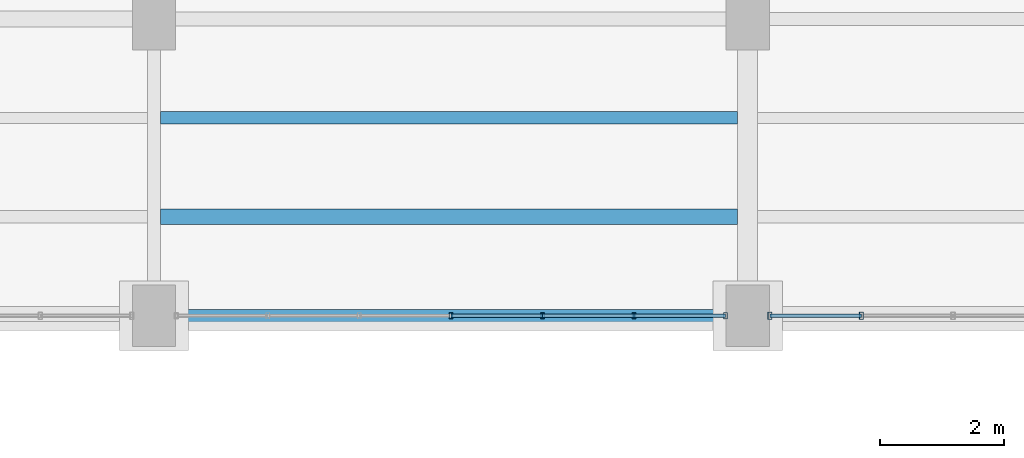
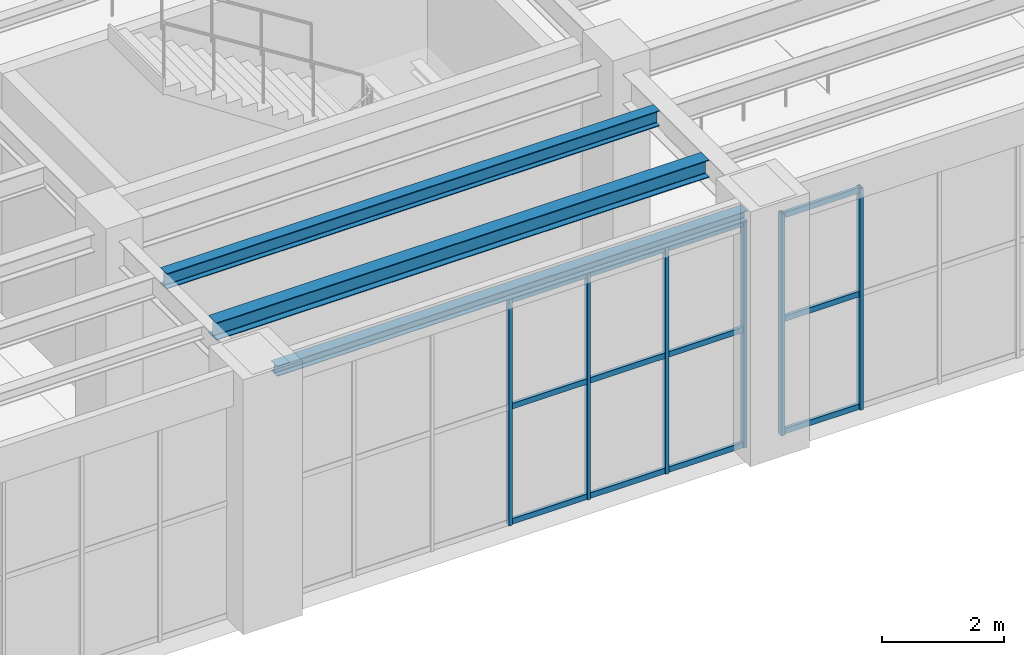
# One storey, part 99 of 174: 18 members, 3 beams, 2 elements without a shape of their own.
"""IFC4 building model written with IfcOpenShell, lengths in metres."""

from ifc_helpers import new_model, si_unit, direction, frame, origin, origin_2d, place, context, subcontext, project, spatial, hollow_rectangle, i_section, extrude, material, material_profile, profile_set, type_object, element, aggregate, save


model = new_model("IFC4")

# Units and contexts
model_context = context("Model", 3, precision=1e-05, world=origin(), true_north=direction((0.0, 1.0)))
body_context = subcontext(model_context, "Body", "Model", "MODEL_VIEW")
ifc_project = project(units=[si_unit("LENGTHUNIT", "METRE"), si_unit("AREAUNIT", "SQUARE_METRE"), si_unit("VOLUMEUNIT", "CUBIC_METRE"), si_unit("PLANEANGLEUNIT", "RADIAN"), si_unit("MASSUNIT", "GRAM", prefix="KILO")], contexts=[model_context])

# Site, building, storey
site_placement = place(None, origin())
site = spatial("IfcSite", under=ifc_project, at=site_placement, CompositionType="ELEMENT")
building_placement = place(site_placement, origin())
building = spatial("IfcBuilding", under=site, at=building_placement, Name="Mavantir Sound Aquarium", CompositionType="ELEMENT")
storey_placement = place(building_placement, frame((0.0, 0.0, 5.39990234375)))
storey = spatial("IfcBuildingStorey", under=building, at=storey_placement, Name="L01", CompositionType="ELEMENT", Elevation=5.39990234375)

# Beams
ifc_material_1 = material(Name="Structural Steel ASTM A992 Gr50", Category="steel")
ifc_material_profile_1 = material_profile(ifc_material_1, i_section(OverallWidth=0.202880859375, OverallDepth=0.202880859375, WebThickness=0.007080078125, FlangeThickness=0.010986328125, FilletRadius=0.010009765625, at=origin_2d()), Name="W200X46")
ifc_profile_set_1 = profile_set([ifc_material_profile_1], Name="Structural Steel ASTM A992 Gr50")
beam_type_1 = type_object("IfcBeamType", Name="BM-W200X46-E", PredefinedType="LINTEL", material=ifc_profile_set_1)
beam_1_placement = place(storey_placement, frame((146.75, 36.0, 4.674560546875), z_axis=(1.0, 0.0, 0.0), x_axis=(0.0, 1.0, 0.0)))
element("IfcBeam", 1, at=beam_1_placement, inside=storey, type_object=beam_type_1, Name="L01 primary beam SL-20 1242", PredefinedType="LINTEL", context=body_context, shape_type="SweptSolid", body=[
    extrude(i_section(OverallWidth=0.202880859375, OverallDepth=0.202880859375, WebThickness=0.007080078125, FlangeThickness=0.010986328125, FilletRadius=0.010009765625, at=origin_2d()), origin(), (0.0, 0.0, 1.0), 8.89990234375),
])
ifc_material_profile_2 = material_profile(ifc_material_1, i_section(OverallWidth=0.205078125, OverallDepth=0.31005859375, WebThickness=0.009521484375, FlangeThickness=0.016357421875, FilletRadius=0.012939453125, at=origin_2d()), Name="W310X74")
ifc_profile_set_2 = profile_set([ifc_material_profile_2], Name="Structural Steel ASTM A992 Gr50")
beam_type_2 = type_object("IfcBeamType", Name="BM-W310X74-I", PredefinedType="JOIST", material=ifc_profile_set_2)
beam_2_placement = place(storey_placement, frame((146.506103515625, 39.199951171875, 4.62109375), z_axis=(1.0, 0.0, 0.0), x_axis=(0.0, 1.0, 0.0)))
element("IfcBeam", 2, at=beam_2_placement, inside=storey, type_object=beam_type_2, Name="L01 secondary floor joist SJ-31 731", PredefinedType="JOIST", context=body_context, shape_type="SweptSolid", body=[
    extrude(i_section(OverallWidth=0.205078125, OverallDepth=0.31005859375, WebThickness=0.009521484375, FlangeThickness=0.016357421875, FilletRadius=0.012939453125, at=origin_2d()), origin(), (0.0, 0.0, 1.0), 9.331787109375),
])
ifc_material_profile_3 = material_profile(ifc_material_1, i_section(OverallWidth=0.25390625, OverallDepth=0.35302734375, WebThickness=0.009521484375, FlangeThickness=0.016357421875, FilletRadius=0.014892578125, at=origin_2d()), Name="W360X91")
ifc_profile_set_3 = profile_set([ifc_material_profile_3], Name="Structural Steel ASTM A992 Gr50")
beam_type_3 = type_object("IfcBeamType", Name="BM-W360X91-I", PredefinedType="JOIST", material=ifc_profile_set_3)
beam_3_placement = place(storey_placement, frame((146.506103515625, 37.60009765625, 4.599609375), z_axis=(1.0, 0.0, 0.0), x_axis=(0.0, 1.0, 0.0)))
element("IfcBeam", 3, at=beam_3_placement, inside=storey, type_object=beam_type_3, Name="L01 secondary floor joist SJ-36 730", PredefinedType="JOIST", context=body_context, shape_type="SweptSolid", body=[
    extrude(i_section(OverallWidth=0.25390625, OverallDepth=0.35302734375, WebThickness=0.009521484375, FlangeThickness=0.016357421875, FilletRadius=0.014892578125, at=origin_2d()), origin(), (0.0, 0.0, 1.0), 9.331787109375),
])

# Curtain wall, members
ifc_material_2 = material(Name="Anodised Marine Aluminium and Low-E Glass", Category="aluminium")
curtain_wall_type_1 = type_object("IfcCurtainWallType", Name="CW-T05", PredefinedType="USERDEFINED", material=ifc_material_2)
curtain_wall_1_placement = place(storey_placement, origin())
curtain_wall_1 = element("IfcCurtainWall", 4, at=curtain_wall_1_placement, inside=storey, type_object=curtain_wall_type_1, Name="L01 unitised curtain wall CW-05 101", ObjectType="UNITISED GLAZING", PredefinedType="USERDEFINED")
ifc_material_3 = material(Name="Anodised Marine Aluminium 6063-T6", Category="aluminium")
ifc_material_profile_4 = material_profile(ifc_material_3, hollow_rectangle(XDim=0.06005859375, YDim=0.10009765625, WallThickness=0.00390625, at=origin_2d()), Name="ALU-MULLION-100X60")
ifc_profile_set_4 = profile_set([ifc_material_profile_4], Name="Anodised Marine Aluminium 6063-T6")
member_type_1 = type_object("IfcMemberType", Name="CW-MUL-100", PredefinedType="MULLION", material=ifc_profile_set_4)
member_1_placement = place(storey_placement, frame((151.199951171875, 36.0, 0.0), z_axis=(0.0, 0.0, 1.0), x_axis=(1.0, 0.0, 0.0)))
member_1 = element("IfcMember", 5, at=member_1_placement, type_object=member_type_1, Name="CW-L01-101 vertical mullion 4", PredefinedType="MULLION", context=body_context, shape_type="SweptSolid", body=[
    extrude(hollow_rectangle(XDim=0.06005859375, YDim=0.10009765625, WallThickness=0.00390625, at=origin_2d()), origin(), (0.0, 0.0, 1.0), 4.543212890625),
])
member_2_placement = place(storey_placement, frame((152.6806640625, 36.0, 0.0), z_axis=(0.0, 0.0, 1.0), x_axis=(1.0, 0.0, 0.0)))
member_2 = element("IfcMember", 6, at=member_2_placement, type_object=member_type_1, Name="CW-L01-101 vertical mullion 5", PredefinedType="MULLION", context=body_context, shape_type="SweptSolid", body=[
    extrude(hollow_rectangle(XDim=0.06005859375, YDim=0.10009765625, WallThickness=0.00390625, at=origin_2d()), origin(), (0.0, 0.0, 1.0), 4.543212890625),
])
member_3_placement = place(storey_placement, frame((154.161376953125, 36.0, 0.0), z_axis=(0.0, 0.0, 1.0), x_axis=(1.0, 0.0, 0.0)))
member_3 = element("IfcMember", 7, at=member_3_placement, type_object=member_type_1, Name="CW-L01-101 vertical mullion 6", PredefinedType="MULLION", context=body_context, shape_type="SweptSolid", body=[
    extrude(hollow_rectangle(XDim=0.06005859375, YDim=0.10009765625, WallThickness=0.00390625, at=origin_2d()), origin(), (0.0, 0.0, 1.0), 4.543212890625),
])
member_4_placement = place(storey_placement, frame((155.64208984375, 36.0, 0.0), z_axis=(0.0, 0.0, 1.0), x_axis=(1.0, 0.0, 0.0)))
member_4 = element("IfcMember", 8, at=member_4_placement, type_object=member_type_1, Name="CW-L01-101 vertical mullion 7", PredefinedType="MULLION", context=body_context, shape_type="SweptSolid", body=[
    extrude(hollow_rectangle(XDim=0.06005859375, YDim=0.10009765625, WallThickness=0.00390625, at=origin_2d()), origin(), (0.0, 0.0, 1.0), 4.543212890625),
])

curtain_wall_type_2 = type_object("IfcCurtainWallType", Name="CW-T06", PredefinedType="USERDEFINED", material=ifc_material_2)
curtain_wall_2_placement = place(storey_placement, origin())
curtain_wall_2 = element("IfcCurtainWall", 9, at=curtain_wall_2_placement, inside=storey, type_object=curtain_wall_type_2, Name="L01 unitised curtain wall CW-06 102", ObjectType="UNITISED GLAZING", PredefinedType="USERDEFINED")
ifc_material_profile_5 = material_profile(ifc_material_3, hollow_rectangle(XDim=0.06494140625, YDim=0.1201171875, WallThickness=0.00390625, at=origin_2d()), Name="ALU-MULLION-120X65")
ifc_profile_set_5 = profile_set([ifc_material_profile_5], Name="Anodised Marine Aluminium 6063-T6")
member_type_2 = type_object("IfcMemberType", Name="CW-MUL-120", PredefinedType="MULLION", material=ifc_profile_set_5)
member_5_placement = place(storey_placement, frame((156.35791015625, 36.0, 0.0), z_axis=(0.0, 0.0, 1.0), x_axis=(1.0, 0.0, 0.0)))
member_5 = element("IfcMember", 10, at=member_5_placement, type_object=member_type_2, Name="CW-L01-102 vertical mullion 1", PredefinedType="MULLION", context=body_context, shape_type="SweptSolid", body=[
    extrude(hollow_rectangle(XDim=0.06494140625, YDim=0.1201171875, WallThickness=0.00390625, at=origin_2d()), origin(), (0.0, 0.0, 1.0), 4.43798828125),
])
member_6_placement = place(storey_placement, frame((157.838623046875, 36.0, 0.0), z_axis=(0.0, 0.0, 1.0), x_axis=(1.0, 0.0, 0.0)))
member_6 = element("IfcMember", 11, at=member_6_placement, type_object=member_type_2, Name="CW-L01-102 vertical mullion 2", PredefinedType="MULLION", context=body_context, shape_type="SweptSolid", body=[
    extrude(hollow_rectangle(XDim=0.06494140625, YDim=0.1201171875, WallThickness=0.00390625, at=origin_2d()), origin(), (0.0, 0.0, 1.0), 4.43798828125),
])

# Member
ifc_material_profile_6 = material_profile(ifc_material_3, hollow_rectangle(XDim=0.06005859375, YDim=0.110107421875, WallThickness=0.00390625, at=origin_2d()), Name="ALU-TRANSOM-110X60")
ifc_profile_set_6 = profile_set([ifc_material_profile_6], Name="Anodised Marine Aluminium 6063-T6")
member_type_3 = type_object("IfcMemberType", Name="CW-TRN-110", PredefinedType="USERDEFINED", material=ifc_profile_set_6)
member_7_placement = place(storey_placement, frame((151.199951171875, 36.0, 0.05517578125), z_axis=(1.0, 0.0, 0.0), x_axis=(0.0, 1.0, 0.0)))
member_7 = element("IfcMember", 12, at=member_7_placement, type_object=member_type_3, Name="CW-L01-101 transom 4.1", ObjectType="TRANSOM", PredefinedType="USERDEFINED", context=body_context, shape_type="SweptSolid", body=[
    extrude(hollow_rectangle(XDim=0.06005859375, YDim=0.110107421875, WallThickness=0.00390625, at=origin_2d()), origin(), (0.0, 0.0, 1.0), 1.480712890625),
])

member_8_placement = place(storey_placement, frame((151.199951171875, 36.0, 2.362548828125), z_axis=(1.0, 0.0, 0.0), x_axis=(0.0, 1.0, 0.0)))
member_8 = element("IfcMember", 13, at=member_8_placement, type_object=member_type_3, Name="CW-L01-101 transom 4.2", ObjectType="TRANSOM", PredefinedType="USERDEFINED", context=body_context, shape_type="SweptSolid", body=[
    extrude(hollow_rectangle(XDim=0.06005859375, YDim=0.110107421875, WallThickness=0.00390625, at=origin_2d()), origin(), (0.0, 0.0, 1.0), 1.480712890625),
])

member_9_placement = place(storey_placement, frame((151.199951171875, 36.0, 4.488037109375), z_axis=(1.0, 0.0, 0.0), x_axis=(0.0, 1.0, 0.0)))
member_9 = element("IfcMember", 14, at=member_9_placement, type_object=member_type_3, Name="CW-L01-101 transom 4.3", ObjectType="TRANSOM", PredefinedType="USERDEFINED", context=body_context, shape_type="SweptSolid", body=[
    extrude(hollow_rectangle(XDim=0.06005859375, YDim=0.110107421875, WallThickness=0.00390625, at=origin_2d()), origin(), (0.0, 0.0, 1.0), 1.480712890625),
])

member_10_placement = place(storey_placement, frame((152.6806640625, 36.0, 0.05517578125), z_axis=(1.0, 0.0, 0.0), x_axis=(0.0, 1.0, 0.0)))
member_10 = element("IfcMember", 15, at=member_10_placement, type_object=member_type_3, Name="CW-L01-101 transom 5.1", ObjectType="TRANSOM", PredefinedType="USERDEFINED", context=body_context, shape_type="SweptSolid", body=[
    extrude(hollow_rectangle(XDim=0.06005859375, YDim=0.110107421875, WallThickness=0.00390625, at=origin_2d()), origin(), (0.0, 0.0, 1.0), 1.480712890625),
])

member_11_placement = place(storey_placement, frame((152.6806640625, 36.0, 2.362548828125), z_axis=(1.0, 0.0, 0.0), x_axis=(0.0, 1.0, 0.0)))
member_11 = element("IfcMember", 16, at=member_11_placement, type_object=member_type_3, Name="CW-L01-101 transom 5.2", ObjectType="TRANSOM", PredefinedType="USERDEFINED", context=body_context, shape_type="SweptSolid", body=[
    extrude(hollow_rectangle(XDim=0.06005859375, YDim=0.110107421875, WallThickness=0.00390625, at=origin_2d()), origin(), (0.0, 0.0, 1.0), 1.480712890625),
])

member_12_placement = place(storey_placement, frame((152.6806640625, 36.0, 4.488037109375), z_axis=(1.0, 0.0, 0.0), x_axis=(0.0, 1.0, 0.0)))
member_12 = element("IfcMember", 17, at=member_12_placement, type_object=member_type_3, Name="CW-L01-101 transom 5.3", ObjectType="TRANSOM", PredefinedType="USERDEFINED", context=body_context, shape_type="SweptSolid", body=[
    extrude(hollow_rectangle(XDim=0.06005859375, YDim=0.110107421875, WallThickness=0.00390625, at=origin_2d()), origin(), (0.0, 0.0, 1.0), 1.480712890625),
])

member_13_placement = place(storey_placement, frame((154.161376953125, 36.0, 0.05517578125), z_axis=(1.0, 0.0, 0.0), x_axis=(0.0, 1.0, 0.0)))
member_13 = element("IfcMember", 18, at=member_13_placement, type_object=member_type_3, Name="CW-L01-101 transom 6.1", ObjectType="TRANSOM", PredefinedType="USERDEFINED", context=body_context, shape_type="SweptSolid", body=[
    extrude(hollow_rectangle(XDim=0.06005859375, YDim=0.110107421875, WallThickness=0.00390625, at=origin_2d()), origin(), (0.0, 0.0, 1.0), 1.480712890625),
])

member_14_placement = place(storey_placement, frame((154.161376953125, 36.0, 2.362548828125), z_axis=(1.0, 0.0, 0.0), x_axis=(0.0, 1.0, 0.0)))
member_14 = element("IfcMember", 19, at=member_14_placement, type_object=member_type_3, Name="CW-L01-101 transom 6.2", ObjectType="TRANSOM", PredefinedType="USERDEFINED", context=body_context, shape_type="SweptSolid", body=[
    extrude(hollow_rectangle(XDim=0.06005859375, YDim=0.110107421875, WallThickness=0.00390625, at=origin_2d()), origin(), (0.0, 0.0, 1.0), 1.480712890625),
])

member_15_placement = place(storey_placement, frame((154.161376953125, 36.0, 4.488037109375), z_axis=(1.0, 0.0, 0.0), x_axis=(0.0, 1.0, 0.0)))
member_15 = element("IfcMember", 20, at=member_15_placement, type_object=member_type_3, Name="CW-L01-101 transom 6.3", ObjectType="TRANSOM", PredefinedType="USERDEFINED", context=body_context, shape_type="SweptSolid", body=[
    extrude(hollow_rectangle(XDim=0.06005859375, YDim=0.110107421875, WallThickness=0.00390625, at=origin_2d()), origin(), (0.0, 0.0, 1.0), 1.480712890625),
])

aggregate(curtain_wall_1, [member_1, member_2, member_3, member_4, member_7, member_8, member_9, member_10, member_11, member_12, member_13, member_14, member_15])

member_16_placement = place(storey_placement, frame((156.35791015625, 36.0, 0.05517578125), z_axis=(1.0, 0.0, 0.0), x_axis=(0.0, 1.0, 0.0)))
member_16 = element("IfcMember", 21, at=member_16_placement, type_object=member_type_3, Name="CW-L01-102 transom 1.1", ObjectType="TRANSOM", PredefinedType="USERDEFINED", context=body_context, shape_type="SweptSolid", body=[
    extrude(hollow_rectangle(XDim=0.06005859375, YDim=0.110107421875, WallThickness=0.00390625, at=origin_2d()), origin(), (0.0, 0.0, 1.0), 1.480712890625),
])

member_17_placement = place(storey_placement, frame((156.35791015625, 36.0, 2.307861328125), z_axis=(1.0, 0.0, 0.0), x_axis=(0.0, 1.0, 0.0)))
member_17 = element("IfcMember", 22, at=member_17_placement, type_object=member_type_3, Name="CW-L01-102 transom 1.2", ObjectType="TRANSOM", PredefinedType="USERDEFINED", context=body_context, shape_type="SweptSolid", body=[
    extrude(hollow_rectangle(XDim=0.06005859375, YDim=0.110107421875, WallThickness=0.00390625, at=origin_2d()), origin(), (0.0, 0.0, 1.0), 1.480712890625),
])

member_18_placement = place(storey_placement, frame((156.35791015625, 36.0, 4.383056640625), z_axis=(1.0, 0.0, 0.0), x_axis=(0.0, 1.0, 0.0)))
member_18 = element("IfcMember", 23, at=member_18_placement, type_object=member_type_3, Name="CW-L01-102 transom 1.3", ObjectType="TRANSOM", PredefinedType="USERDEFINED", context=body_context, shape_type="SweptSolid", body=[
    extrude(hollow_rectangle(XDim=0.06005859375, YDim=0.110107421875, WallThickness=0.00390625, at=origin_2d()), origin(), (0.0, 0.0, 1.0), 1.480712890625),
])

aggregate(curtain_wall_2, [member_5, member_6, member_16, member_17, member_18])

save(model, "model.ifc")
